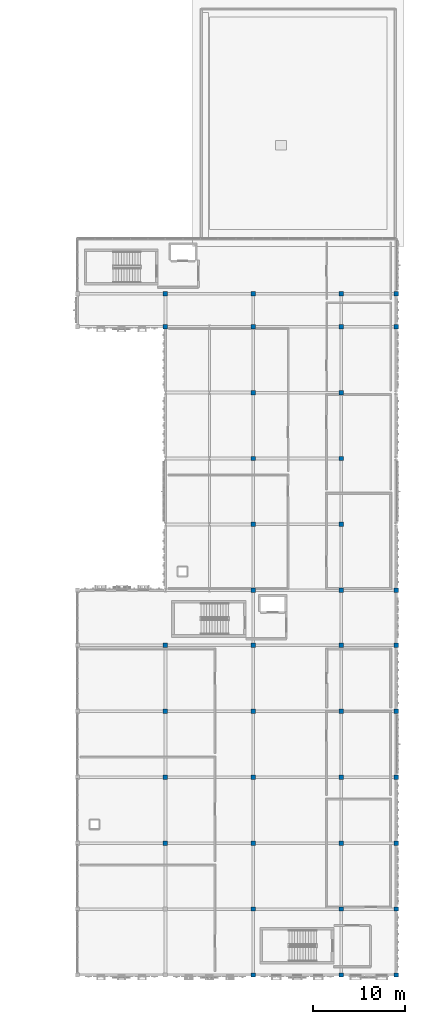
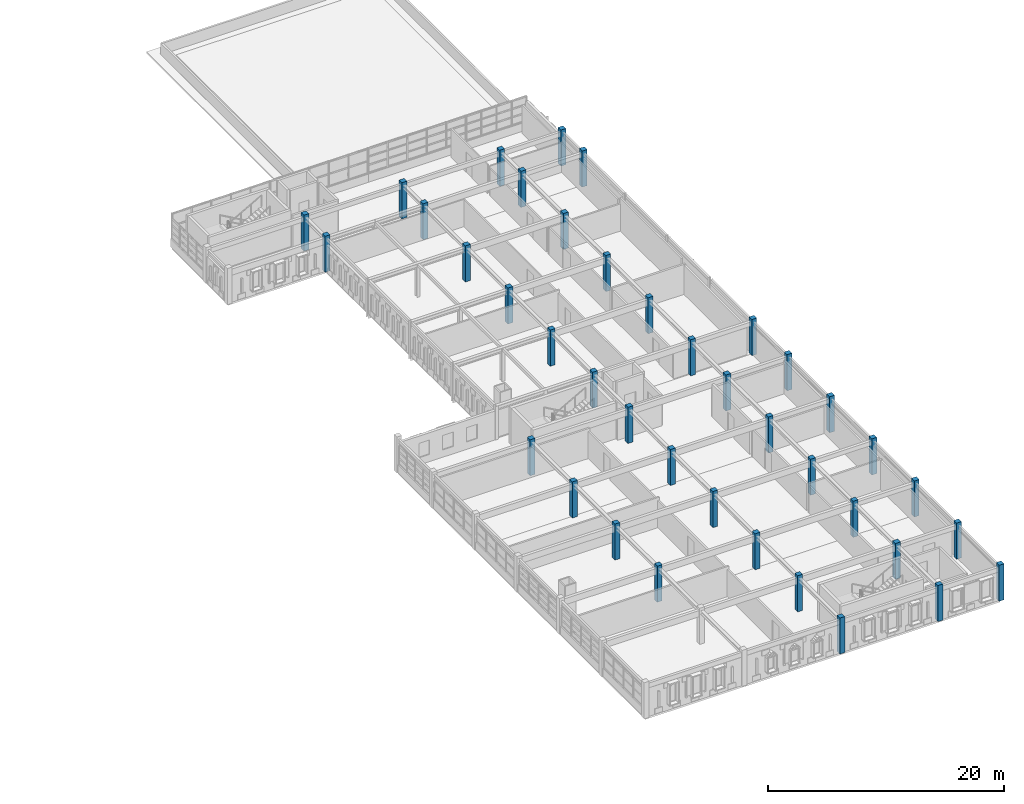
# One storey, part 2 of 53: 39 columns.
"""IFC4 building model written with IfcOpenShell, lengths in metres."""

from ifc_helpers import new_model, si_unit, direction, frame, origin, origin_2d, place, context, subcontext, project, spatial, rectangle, extrude, material, material_profile, profile_set, type_object, element, save


model = new_model("IFC4")

# Units and contexts
model_context = context("Model", 3, precision=1e-05, world=origin(), true_north=direction((0.0, 1.0)))
body_context = subcontext(model_context, "Body", "Model", "MODEL_VIEW")
ifc_project = project(units=[si_unit("LENGTHUNIT", "METRE"), si_unit("AREAUNIT", "SQUARE_METRE"), si_unit("VOLUMEUNIT", "CUBIC_METRE"), si_unit("PLANEANGLEUNIT", "RADIAN"), si_unit("MASSUNIT", "GRAM", prefix="KILO")], contexts=[model_context])

# Site, building, storey
site_placement = place(None, origin())
site = spatial("IfcSite", under=ifc_project, at=site_placement, CompositionType="ELEMENT")
building_placement = place(site_placement, origin())
building = spatial("IfcBuilding", under=site, at=building_placement, Name="Nzembalo Square Collegiate School", CompositionType="ELEMENT")
storey_placement = place(building_placement, frame((0.0, 0.0, 13.60009765625)))
storey = spatial("IfcBuildingStorey", under=building, at=storey_placement, Name="L03", CompositionType="ELEMENT", Elevation=13.60009765625)

# Columns
ifc_material = material(Name="Glulam GL28h", Category="wood")
ifc_material_profile = material_profile(ifc_material, rectangle(XDim=0.47998046875, YDim=0.47998046875, at=origin_2d()), Name="GL28h 480x480")
ifc_profile_set = profile_set([ifc_material_profile], Name="Glulam GL28h")
column_type = type_object("IfcColumnType", Name="C05", PredefinedType="COLUMN", material=ifc_profile_set)
for number, where, z_axis, x_axis, name in (
    (1, (140.39990234375, 22.800048828125, 0.0), (0.0, 0.0, 1.0), (1.0, 0.0, 0.0), "Column C05 L03 21/D"),
    (2, (140.39990234375, 30.0, 0.0), (0.0, 0.0, 1.0), (1.0, 0.0, 0.0), "Column C05 L03 21/E"),
    (3, (140.39990234375, 37.199951171875, 0.0), (0.0, 0.0, 1.0), (1.0, 0.0, 0.0), "Column C05 L03 21/F"),
    (4, (140.39990234375, 44.39990234375, 0.0), (0.0, 0.0, 1.0), (1.0, 0.0, 0.0), "Column C05 L03 21/G"),
    (5, (140.39990234375, 79.199951171875, 0.0), (0.0, 0.0, 1.0), (1.0, 0.0, 0.0), "Column C05 L03 21/L"),
    (6, (140.39990234375, 82.800048828125, 0.0), (0.0, 0.0, 1.0), (1.0, 0.0, 0.0), "Column C05 L03 21/M"),
    (7, (150.0, 8.39990234375, 0.0), (0.0, 0.0, 1.0), (1.0, 0.0, 0.0), "Column C05 L03 22/B"),
    (8, (150.0, 15.60009765625, 0.0), (0.0, 0.0, 1.0), (1.0, 0.0, 0.0), "Column C05 L03 22/C"),
    (9, (150.0, 22.800048828125, 0.0), (0.0, 0.0, 1.0), (1.0, 0.0, 0.0), "Column C05 L03 22/D"),
    (10, (150.0, 30.0, 0.0), (0.0, 0.0, 1.0), (1.0, 0.0, 0.0), "Column C05 L03 22/E"),
    (11, (150.0, 37.199951171875, 0.0), (0.0, 0.0, 1.0), (1.0, 0.0, 0.0), "Column C05 L03 22/F"),
    (12, (150.0, 44.39990234375, 0.0), (0.0, 0.0, 1.0), (1.0, 0.0, 0.0), "Column C05 L03 22/G"),
    (13, (150.0, 50.39990234375, 0.0), (0.0, 0.0, 1.0), (1.0, 0.0, 0.0), "Column C05 L03 22/H"),
    (14, (150.0, 57.60009765625, 0.0), (0.0, 0.0, 1.0), (1.0, 0.0, 0.0), "Column C05 L03 22/I"),
    (15, (150.0, 64.800048828125, 0.0), (0.0, 0.0, 1.0), (1.0, 0.0, 0.0), "Column C05 L03 22/J"),
    (16, (150.0, 72.0, 0.0), (0.0, 0.0, 1.0), (1.0, 0.0, 0.0), "Column C05 L03 22/K"),
    (17, (150.0, 79.199951171875, 0.0), (0.0, 0.0, 1.0), (1.0, 0.0, 0.0), "Column C05 L03 22/L"),
    (18, (150.0, 82.800048828125, 0.0), (0.0, 0.0, 1.0), (1.0, 0.0, 0.0), "Column C05 L03 22/M"),
    (19, (159.60009765625, 8.39990234375, 0.0), (0.0, 0.0, 1.0), (1.0, 0.0, 0.0), "Column C05 L03 23/B"),
    (20, (159.60009765625, 15.60009765625, 0.0), (0.0, 0.0, 1.0), (1.0, 0.0, 0.0), "Column C05 L03 23/C"),
    (21, (159.60009765625, 22.800048828125, 0.0), (0.0, 0.0, 1.0), (1.0, 0.0, 0.0), "Column C05 L03 23/D"),
    (22, (159.60009765625, 30.0, 0.0), (0.0, 0.0, 1.0), (1.0, 0.0, 0.0), "Column C05 L03 23/E"),
    (23, (159.60009765625, 37.199951171875, 0.0), (0.0, 0.0, 1.0), (1.0, 0.0, 0.0), "Column C05 L03 23/F"),
    (24, (159.60009765625, 44.39990234375, 0.0), (0.0, 0.0, 1.0), (1.0, 0.0, 0.0), "Column C05 L03 23/G"),
    (25, (159.60009765625, 50.39990234375, 0.0), (0.0, 0.0, 1.0), (1.0, 0.0, 0.0), "Column C05 L03 23/H"),
    (26, (159.60009765625, 57.60009765625, 0.0), (0.0, 0.0, 1.0), (1.0, 0.0, 0.0), "Column C05 L03 23/I"),
    (27, (159.60009765625, 64.800048828125, 0.0), (0.0, 0.0, 1.0), (1.0, 0.0, 0.0), "Column C05 L03 23/J"),
    (28, (159.60009765625, 72.0, 0.0), (0.0, 0.0, 1.0), (1.0, 0.0, 0.0), "Column C05 L03 23/K"),
    (29, (159.60009765625, 79.199951171875, 0.0), (0.0, 0.0, 1.0), (1.0, 0.0, 0.0), "Column C05 L03 23/L"),
    (30, (159.60009765625, 82.800048828125, 0.0), (0.0, 0.0, 1.0), (1.0, 0.0, 0.0), "Column C05 L03 23/M"),
    (31, (165.60009765625, 8.39990234375, 0.0), (0.0, 0.0, 1.0), (1.0, 0.0, 0.0), "Column C05 L03 24/B"),
    (32, (165.60009765625, 15.60009765625, 0.0), (0.0, 0.0, 1.0), (1.0, 0.0, 0.0), "Column C05 L03 24/C"),
    (33, (165.60009765625, 22.800048828125, 0.0), (0.0, 0.0, 1.0), (1.0, 0.0, 0.0), "Column C05 L03 24/D"),
    (34, (165.60009765625, 30.0, 0.0), (0.0, 0.0, 1.0), (1.0, 0.0, 0.0), "Column C05 L03 24/E"),
    (35, (165.60009765625, 37.199951171875, 0.0), (0.0, 0.0, 1.0), (1.0, 0.0, 0.0), "Column C05 L03 24/F"),
    (36, (165.60009765625, 44.39990234375, 0.0), (0.0, 0.0, 1.0), (1.0, 0.0, 0.0), "Column C05 L03 24/G"),
    (37, (165.60009765625, 50.39990234375, 0.0), (0.0, 0.0, 1.0), (1.0, 0.0, 0.0), "Column C05 L03 24/H"),
    (38, (165.60009765625, 79.199951171875, 0.0), (0.0, 0.0, 1.0), (1.0, 0.0, 0.0), "Column C05 L03 24/L"),
    (39, (165.60009765625, 82.800048828125, 0.0), (0.0, 0.0, 1.0), (1.0, 0.0, 0.0), "Column C05 L03 24/M"),
):
    element("IfcColumn", number, at=place(storey_placement, frame(where, z_axis=z_axis, x_axis=x_axis)), inside=storey, type_object=column_type, Name=name, PredefinedType="COLUMN", context=body_context, shape_type="SweptSolid", body=[
        extrude(rectangle(XDim=0.47998046875, YDim=0.47998046875, at=origin_2d()), origin(), (0.0, 0.0, 1.0), 3.739990234375),
    ])

save(model, "model.ifc")
